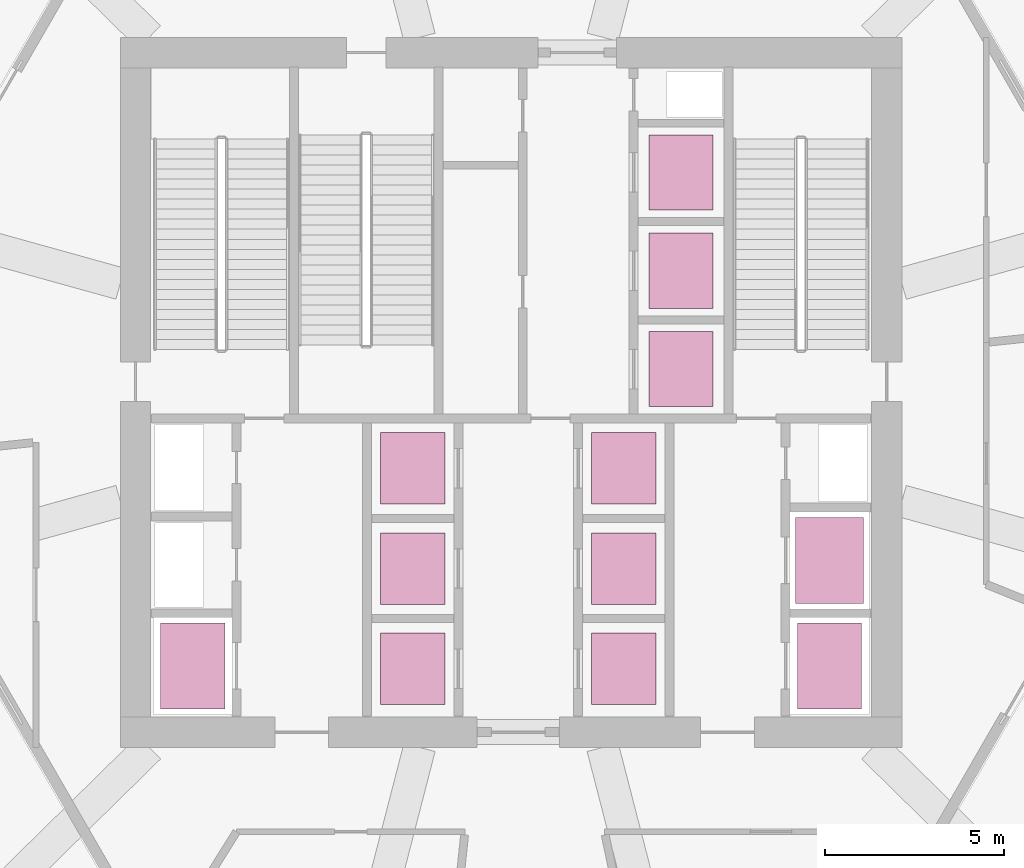
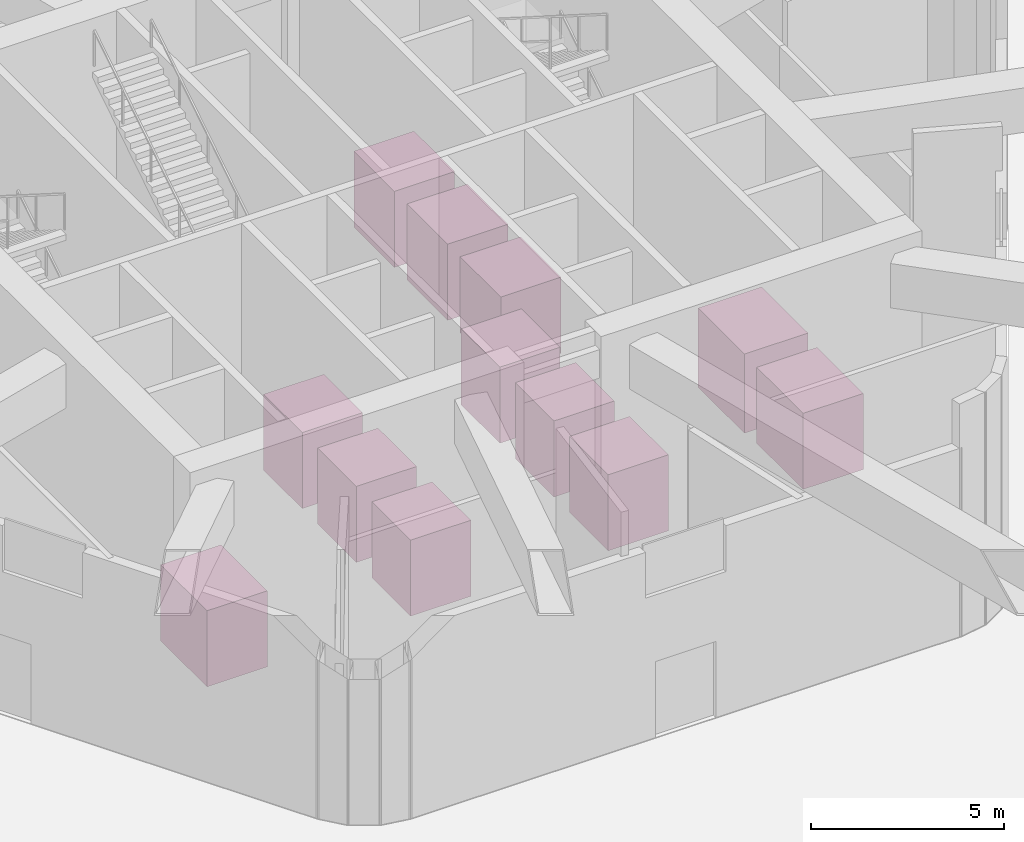
# One storey, part 17 of 17: 12 transport elements.
"""IFC4 building model written with IfcOpenShell, lengths in metres."""

from ifc_helpers import new_model, si_unit, direction, frame, origin, origin_2d, place, context, subcontext, project, spatial, rectangle, extrude, material, type_object, element, save


model = new_model("IFC4")

# Units and contexts
model_context = context("Model", 3, precision=1e-05, world=origin(), true_north=direction((0.0, 1.0)))
body_context = subcontext(model_context, "Body", "Model", "MODEL_VIEW")
ifc_project = project(units=[si_unit("LENGTHUNIT", "METRE"), si_unit("AREAUNIT", "SQUARE_METRE"), si_unit("VOLUMEUNIT", "CUBIC_METRE"), si_unit("PLANEANGLEUNIT", "RADIAN"), si_unit("MASSUNIT", "GRAM", prefix="KILO")], contexts=[model_context])

# Site, building, storey
site_placement = place(None, origin())
site = spatial("IfcSite", under=ifc_project, at=site_placement, CompositionType="ELEMENT")
building_placement = place(site_placement, origin())
building = spatial("IfcBuilding", under=site, at=building_placement, Name="Zuhravey Tower", CompositionType="ELEMENT")
storey_placement = place(building_placement, origin())
storey = spatial("IfcBuildingStorey", under=building, at=storey_placement, Name="L01", CompositionType="ELEMENT", Elevation=0.0)

# Transport elements
ifc_material_1 = material(Name="Fire-rated stainless steel lift cab", Category="steel")
transport_element_type_1 = type_object("IfcTransportElementType", Name="Firefighting Stretcher Lift 2000kg", PredefinedType="ELEVATOR", material=ifc_material_1)
for number, where, z_axis, x_axis, name in (
    (1, (27.10009765625, 24.35009765625, 0.0), (0.0, 0.0, 1.0), (1.0, 0.0, 0.0), "Lift FF1 Car"),
    (2, (44.89990234375, 24.35009765625, 0.0), (0.0, 0.0, 1.0), (1.0, 0.0, 0.0), "Lift FF2 Car"),
):
    element("IfcTransportElement", number, at=place(storey_placement, frame(where, z_axis=z_axis, x_axis=x_axis)), inside=storey, type_object=transport_element_type_1, Name=name, PredefinedType="ELEVATOR", context=body_context, shape_type="SweptSolid", body=[
        extrude(rectangle(XDim=1.800048828125, YDim=2.39990234375, at=origin_2d()), origin(), (0.0, 0.0, 1.0), 2.39990234375),
    ])
ifc_material_2 = material(Name="Stainless steel lift cab", Category="steel")
transport_element_type_2 = type_object("IfcTransportElementType", Name="Passenger Zoned Lift 1600kg", PredefinedType="ELEVATOR", material=ifc_material_2)
for number, where, z_axis, x_axis, name in (
    (3, (33.25, 24.27490234375, 0.0), (0.0, 0.0, 1.0), (1.0, 0.0, 0.0), "Lift PL1 Car"),
    (4, (33.25, 27.074951171875, 0.0), (0.0, 0.0, 1.0), (1.0, 0.0, 0.0), "Lift PL2 Car"),
    (5, (33.25, 29.875, 0.0), (0.0, 0.0, 1.0), (1.0, 0.0, 0.0), "Lift PL3 Car"),
    (6, (39.14990234375, 24.27490234375, 0.0), (0.0, 0.0, 1.0), (1.0, 0.0, 0.0), "Lift PL4 Car"),
    (7, (39.14990234375, 27.074951171875, 0.0), (0.0, 0.0, 1.0), (1.0, 0.0, 0.0), "Lift PL5 Car"),
    (8, (39.14990234375, 29.875, 0.0), (0.0, 0.0, 1.0), (1.0, 0.0, 0.0), "Lift PL6 Car"),
):
    element("IfcTransportElement", number, at=place(storey_placement, frame(where, z_axis=z_axis, x_axis=x_axis)), inside=storey, type_object=transport_element_type_2, Name=name, PredefinedType="ELEVATOR", context=body_context, shape_type="SweptSolid", body=[
        extrude(rectangle(XDim=1.800048828125, YDim=2.0, at=origin_2d()), origin(), (0.0, 0.0, 1.0), 2.39990234375),
    ])
for number, where, z_axis, x_axis, name in (
    (9, (40.75, 32.64990234375, 0.0), (0.0, 0.0, 1.0), (1.0, 0.0, 0.0), "Lift PL7 Car"),
    (10, (40.75, 35.39990234375, 0.0), (0.0, 0.0, 1.0), (1.0, 0.0, 0.0), "Lift PL8 Car"),
    (11, (40.75, 38.14990234375, 0.0), (0.0, 0.0, 1.0), (1.0, 0.0, 0.0), "Lift PL9 Car"),
):
    element("IfcTransportElement", number, at=place(storey_placement, frame(where, z_axis=z_axis, x_axis=x_axis)), inside=storey, type_object=transport_element_type_2, Name=name, PredefinedType="ELEVATOR", context=body_context, shape_type="SweptSolid", body=[
        extrude(rectangle(XDim=1.800048828125, YDim=2.10009765625, at=origin_2d()), origin(), (0.0, 0.0, 1.0), 2.39990234375),
    ])
ifc_material_3 = material(Name="Heavy-duty stainless steel lift cab", Category="steel")
transport_element_type_3 = type_object("IfcTransportElementType", Name="Service Freight Lift 2500kg", PredefinedType="ELEVATOR", material=ifc_material_3)
transport_element_placement = place(storey_placement, frame((44.89990234375, 27.300048828125, 0.0), z_axis=(0.0, 0.0, 1.0), x_axis=(1.0, 0.0, 0.0)))
element("IfcTransportElement", 12, at=transport_element_placement, inside=storey, type_object=transport_element_type_3, Name="Lift SV1 Car", PredefinedType="ELEVATOR", context=body_context, shape_type="SweptSolid", body=[
    extrude(rectangle(XDim=1.89990234375, YDim=2.39990234375, at=origin_2d()), origin(), (0.0, 0.0, 1.0), 2.5),
])

save(model, "model.ifc")
